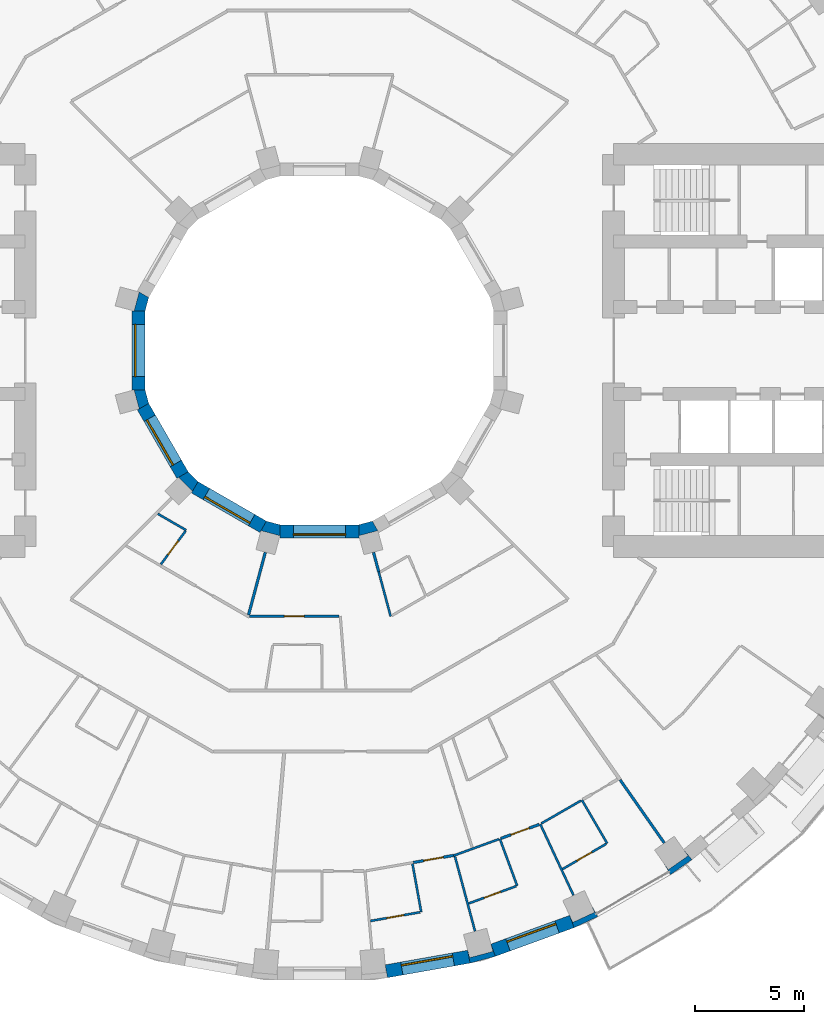
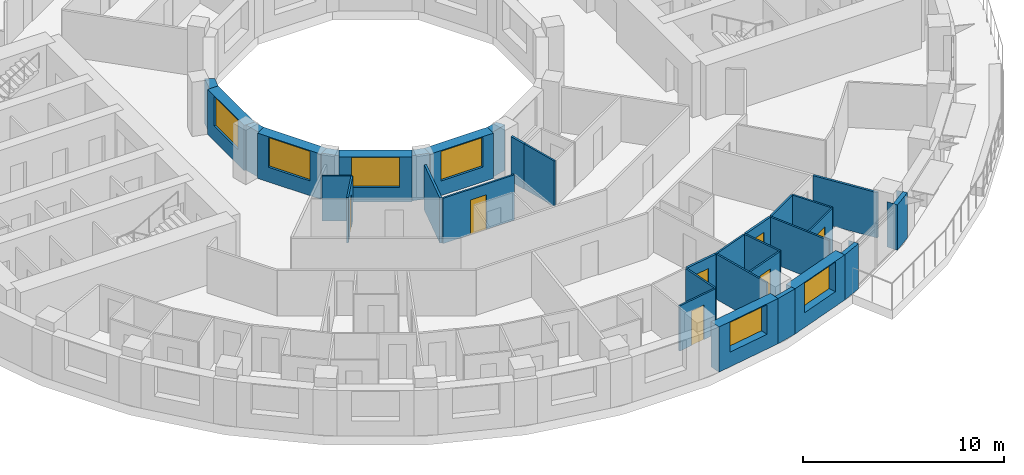
# One storey, part 7 of 15: 33 walls, 7 doors, 6 windows, 13 openings.
"""IFC4 building model written with IfcOpenShell, lengths in metres."""

from ifc_helpers import new_model, si_unit, direction, frame, frame_2d, origin, place, context, subcontext, project, spatial, polyline, rectangle, outline, extrude, material, layer, layer_set, type_object, element, fill, save


model = new_model("IFC4")

# Units and contexts
model_context = context("Model", 3, precision=1e-05, world=origin(), true_north=direction((0.0, 1.0)))
body_context = subcontext(model_context, "Body", "Model", "MODEL_VIEW")
ifc_project = project(units=[si_unit("LENGTHUNIT", "METRE"), si_unit("AREAUNIT", "SQUARE_METRE"), si_unit("VOLUMEUNIT", "CUBIC_METRE"), si_unit("PLANEANGLEUNIT", "RADIAN"), si_unit("MASSUNIT", "GRAM", prefix="KILO")], contexts=[model_context])

# Site, building, storey
site_placement = place(None, origin())
site = spatial("IfcSite", under=ifc_project, at=site_placement, CompositionType="ELEMENT")
building_placement = place(site_placement, origin())
building = spatial("IfcBuilding", under=site, at=building_placement, Name="Saqina Gate Tower", CompositionType="ELEMENT")
storey_placement = place(building_placement, frame((0.0, 0.0, 36.199951171875)))
storey = spatial("IfcBuildingStorey", under=building, at=storey_placement, Name="L09", CompositionType="ELEMENT", Elevation=36.199951171875)

# Walls
ifc_material_1 = material(Name="Brick masonry (red)", Category="masonry")
wall_type_1 = type_object("IfcWallType", Name="BRICK PIER COPING RED", PredefinedType="SOLIDWALL", material=ifc_material_1)
wall_1_placement = place(storey_placement, origin())
element("IfcWall", 1, at=wall_1_placement, inside=storey, type_object=wall_type_1, Name="Pier cap L09 column 29", PredefinedType="SOLIDWALL", context=body_context, shape_type="SweptSolid", body=[
    extrude(outline(polyline([(6.910400390625, -28.11669921875), (8.073974609375, -27.80517578125), (7.86865234375, -27.2412109375), (7.95947265625, -27.57958984375), (6.896728515625, -27.864501953125), (6.80615234375, -27.52587890625), (6.910400390625, -28.11669921875)])), origin(), (0.0, 0.0, 1.0), 2.75),
])
wall_2_placement = place(storey_placement, origin())
element("IfcWall", 2, at=wall_2_placement, inside=storey, type_object=wall_type_1, Name="Pier cap L09 column 30", PredefinedType="SOLIDWALL", context=body_context, shape_type="SweptSolid", body=[
    extrude(outline(polyline([(12.779541015625, -25.980712890625), (12.4794921875, -25.4609375), (12.627685546875, -25.778564453125), (11.630615234375, -26.243408203125), (11.482666015625, -25.92578125), (11.687744140625, -26.48974609375), (12.779541015625, -25.980712890625)])), origin(), (0.0, 0.0, 1.0), 2.75),
])
wall_3_placement = place(storey_placement, origin())
element("IfcWall", 3, at=wall_3_placement, inside=storey, type_object=wall_type_1, Name="Pier cap L09 column 31", PredefinedType="SOLIDWALL", context=body_context, shape_type="SweptSolid", body=[
    extrude(outline(polyline([(16.110107421875, -24.0576171875), (17.096923828125, -23.36669921875), (16.711181640625, -22.9072265625), (16.912109375, -23.194091796875), (16.010986328125, -23.8251953125), (15.81005859375, -23.5380859375), (16.110107421875, -24.0576171875)])), origin(), (0.0, 0.0, 1.0), 2.75),
])

# Wall, opening, window
ifc_material_2 = material(Name="Brick masonry (red)", Category="masonry")
ifc_layer_1 = layer(ifc_material_2, 0.60009765625)
ifc_layer_set_1 = layer_set([ifc_layer_1], Name="FW-BRICK-RED")
wall_type_2 = type_object("IfcWallType", Name="FW-BRICK-RED", PredefinedType="SOLIDWALL", material=ifc_layer_set_1)
wall_4_placement = place(storey_placement, frame((3.07080078125, -28.4892578125, 0.0), z_axis=(0.0, 0.0, 1.0), x_axis=(0.984800809218, 0.173687553279, 0.0)))
wall_4 = element("IfcWall", 4, at=wall_4_placement, inside=storey, type_object=wall_type_2, Name="Facade wall L09 facet 28", PredefinedType="SOLIDWALL", context=body_context, shape_type="SweptSolid", body=[
    extrude(rectangle(XDim=3.845703125, YDim=0.60009765625, at=frame_2d((1.9228515625, 0.0))), origin(), (0.0, 0.0, 1.0), 2.75),
])
opening_1_placement = place(wall_4_placement, frame((0.722900390625, 0.0, 0.89990234375)))
opening_1 = element("IfcOpeningElement", 5, at=opening_1_placement, cuts=wall_4, Name="Opening G02-W21", PredefinedType="OPENING", context=body_context, shape_type="SweptSolid", body=[
    extrude(rectangle(XDim=2.39990234375, YDim=1.800048828125, at=frame_2d((1.199951171875, 0.89990234375))), frame((0.0, 0.31201171875, 0.0), z_axis=(0.0, -1.0, 0.0), x_axis=(1.0, 0.0, 0.0)), (0.0, 0.0, 1.0), 0.6240234375),
])
ifc_material_3 = material(Name="Aluminium glazing", Category="aluminium")
window_type_1 = type_object("IfcWindowType", Name="WN-A", PartitioningType="SINGLE_PANEL", PredefinedType="WINDOW", material=ifc_material_3)
window_1_placement = place(opening_1_placement, origin())
window_1 = element("IfcWindow", 6, at=window_1_placement, inside=storey, type_object=window_type_1, Name="Window L09 facet 28", OverallHeight=1.800048828125, OverallWidth=2.39990234375, PartitioningType="SINGLE_PANEL", PredefinedType="WINDOW", context=body_context, shape_type="SweptSolid", body=[
    extrude(rectangle(XDim=2.39990234375, YDim=1.800048828125, at=frame_2d((1.199951171875, 0.89990234375))), frame((0.0, 0.179931640625, 0.0), z_axis=(0.0, -1.0, 0.0), x_axis=(1.0, 0.0, 0.0)), (0.0, 0.0, 1.0), 0.06005859375),
])
fill(opening_1, window_1)

wall_5_placement = place(storey_placement, frame((7.97119140625, -27.523193359375, 0.0), z_axis=(0.0, 0.0, 1.0), x_axis=(0.939689588564, 0.342028474173, 0.0)))
wall_5 = element("IfcWall", 7, at=wall_5_placement, inside=storey, type_object=wall_type_2, Name="Facade wall L09 facet 29", PredefinedType="SOLIDWALL", context=body_context, shape_type="SweptSolid", body=[
    extrude(rectangle(XDim=3.845947265625, YDim=0.60009765625, at=frame_2d((1.9228515625, 0.0))), origin(), (0.0, 0.0, 1.0), 2.75),
])
opening_2_placement = place(wall_5_placement, frame((0.722900390625, 0.0, 0.89990234375)))
opening_2 = element("IfcOpeningElement", 8, at=opening_2_placement, cuts=wall_5, Name="Opening G02-W22", PredefinedType="OPENING", context=body_context, shape_type="SweptSolid", body=[
    extrude(rectangle(XDim=2.39990234375, YDim=1.800048828125, at=frame_2d((1.199951171875, 0.89990234375))), frame((0.0, 0.31201171875, 0.0), z_axis=(0.0, -1.0, 0.0), x_axis=(1.0, 0.0, 0.0)), (0.0, 0.0, 1.0), 0.6240234375),
])
window_2_placement = place(opening_2_placement, origin())
window_2 = element("IfcWindow", 9, at=window_2_placement, inside=storey, type_object=window_type_1, Name="Window L09 facet 29", OverallHeight=1.800048828125, OverallWidth=2.39990234375, PartitioningType="SINGLE_PANEL", PredefinedType="WINDOW", context=body_context, shape_type="SweptSolid", body=[
    extrude(rectangle(XDim=2.39990234375, YDim=1.800048828125, at=frame_2d((1.199951171875, 0.89990234375))), frame((0.0, 0.179931640625, 0.0), z_axis=(0.0, -1.0, 0.0), x_axis=(1.0, 0.0, 0.0)), (0.0, 0.0, 1.0), 0.06005859375),
])
fill(opening_2, window_2)

ifc_material_4 = material(Name="Glazed ceramic tile", Category="ceramic")
ifc_layer_2 = layer(ifc_material_4, 0.60009765625)
ifc_layer_set_2 = layer_set([ifc_layer_2], Name="IW-TILE")
wall_type_3 = type_object("IfcWallType", Name="IW-TILE", PredefinedType="SOLIDWALL", material=ifc_layer_set_2)
wall_6_placement = place(storey_placement, frame((-8.300048828125, 1.8125, 0.0), z_axis=(0.0, 0.0, 1.0), x_axis=(0.0, -1.0, 0.0)))
wall_6 = element("IfcWall", 10, at=wall_6_placement, inside=storey, type_object=wall_type_3, Name="Well wall L09 facet 6", PredefinedType="SOLIDWALL", context=body_context, shape_type="SweptSolid", body=[
    extrude(rectangle(XDim=3.625, YDim=0.60009765625, at=frame_2d((1.8125, 0.0))), origin(), (0.0, 0.0, 1.0), 2.75),
])
opening_3_placement = place(wall_6_placement, frame((0.612548828125, 0.0, 0.89990234375)))
opening_3 = element("IfcOpeningElement", 11, at=opening_3_placement, cuts=wall_6, Name="Opening G02-W28", PredefinedType="OPENING", context=body_context, shape_type="SweptSolid", body=[
    extrude(rectangle(XDim=2.39990234375, YDim=1.800048828125, at=frame_2d((1.199951171875, 0.89990234375))), frame((0.0, 0.31201171875, 0.0), z_axis=(0.0, -1.0, 0.0), x_axis=(1.0, 0.0, 0.0)), (0.0, 0.0, 1.0), 0.6240234375),
])
ifc_material_5 = material(Name="Aluminium glazing", Category="aluminium")
window_type_2 = type_object("IfcWindowType", Name="WN-W", PartitioningType="SINGLE_PANEL", PredefinedType="WINDOW", material=ifc_material_5)
window_3_placement = place(opening_3_placement, origin())
window_3 = element("IfcWindow", 12, at=window_3_placement, inside=storey, type_object=window_type_2, Name="Well window L09 facet 6", OverallHeight=1.800048828125, OverallWidth=2.39990234375, PartitioningType="SINGLE_PANEL", PredefinedType="WINDOW", context=body_context, shape_type="SweptSolid", body=[
    extrude(rectangle(XDim=2.39990234375, YDim=1.800048828125, at=frame_2d((1.199951171875, 0.89990234375))), frame((0.0, -0.119873046875, 0.0), z_axis=(0.0, -1.0, 0.0), x_axis=(1.0, 0.0, 0.0)), (0.0, 0.0, 1.0), 0.06005859375),
])
fill(opening_3, window_3)

wall_7_placement = place(storey_placement, frame((-8.09423828125, -2.580322265625, 0.0), z_axis=(0.0, 0.0, 1.0), x_axis=(0.499992569217, -0.866029693906, 0.0)))
wall_7 = element("IfcWall", 13, at=wall_7_placement, inside=storey, type_object=wall_type_3, Name="Well wall L09 facet 7", PredefinedType="SOLIDWALL", context=body_context, shape_type="SweptSolid", body=[
    extrude(rectangle(XDim=3.625, YDim=0.60009765625, at=frame_2d((1.8125, 0.0))), origin(), (0.0, 0.0, 1.0), 2.75),
])
opening_4_placement = place(wall_7_placement, frame((0.612548828125, 0.0, 0.89990234375)))
opening_4 = element("IfcOpeningElement", 14, at=opening_4_placement, cuts=wall_7, Name="Opening G02-W29", PredefinedType="OPENING", context=body_context, shape_type="SweptSolid", body=[
    extrude(rectangle(XDim=2.39990234375, YDim=1.800048828125, at=frame_2d((1.199951171875, 0.89990234375))), frame((0.0, 0.31201171875, 0.0), z_axis=(0.0, -1.0, 0.0), x_axis=(1.0, 0.0, 0.0)), (0.0, 0.0, 1.0), 0.6240234375),
])
window_4_placement = place(opening_4_placement, origin())
window_4 = element("IfcWindow", 15, at=window_4_placement, inside=storey, type_object=window_type_2, Name="Well window L09 facet 7", OverallHeight=1.800048828125, OverallWidth=2.39990234375, PartitioningType="SINGLE_PANEL", PredefinedType="WINDOW", context=body_context, shape_type="SweptSolid", body=[
    extrude(rectangle(XDim=2.39990234375, YDim=1.800048828125, at=frame_2d((1.199951171875, 0.89990234375))), frame((0.0, -0.119873046875, 0.0), z_axis=(0.0, -1.0, 0.0), x_axis=(1.0, 0.0, 0.0)), (0.0, 0.0, 1.0), 0.06005859375),
])
fill(opening_4, window_4)

wall_8_placement = place(storey_placement, frame((-5.7197265625, -6.28173828125, 0.0), z_axis=(0.0, 0.0, 1.0), x_axis=(0.866029693906, -0.499992569217, 0.0)))
wall_8 = element("IfcWall", 16, at=wall_8_placement, inside=storey, type_object=wall_type_3, Name="Well wall L09 facet 8", PredefinedType="SOLIDWALL", context=body_context, shape_type="SweptSolid", body=[
    extrude(rectangle(XDim=3.625, YDim=0.60009765625, at=frame_2d((1.8125, 0.0))), origin(), (0.0, 0.0, 1.0), 2.75),
])
opening_5_placement = place(wall_8_placement, frame((0.612548828125, 0.0, 0.89990234375)))
opening_5 = element("IfcOpeningElement", 17, at=opening_5_placement, cuts=wall_8, Name="Opening G02-W30", PredefinedType="OPENING", context=body_context, shape_type="SweptSolid", body=[
    extrude(rectangle(XDim=2.39990234375, YDim=1.800048828125, at=frame_2d((1.199951171875, 0.89990234375))), frame((0.0, 0.31201171875, 0.0), z_axis=(0.0, -1.0, 0.0), x_axis=(1.0, 0.0, 0.0)), (0.0, 0.0, 1.0), 0.6240234375),
])
window_5_placement = place(opening_5_placement, origin())
window_5 = element("IfcWindow", 18, at=window_5_placement, inside=storey, type_object=window_type_2, Name="Well window L09 facet 8", OverallHeight=1.800048828125, OverallWidth=2.39990234375, PartitioningType="SINGLE_PANEL", PredefinedType="WINDOW", context=body_context, shape_type="SweptSolid", body=[
    extrude(rectangle(XDim=2.39990234375, YDim=1.800048828125, at=frame_2d((1.199951171875, 0.89990234375))), frame((0.0, -0.119873046875, 0.0), z_axis=(0.0, -1.0, 0.0), x_axis=(1.0, 0.0, 0.0)), (0.0, 0.0, 1.0), 0.06005859375),
])
fill(opening_5, window_5)

wall_9_placement = place(storey_placement, frame((-1.8125, -8.300048828125, 0.0), z_axis=(0.0, 0.0, 1.0), x_axis=(1.0, 0.0, 0.0)))
wall_9 = element("IfcWall", 19, at=wall_9_placement, inside=storey, type_object=wall_type_3, Name="Well wall L09 facet 9", PredefinedType="SOLIDWALL", context=body_context, shape_type="SweptSolid", body=[
    extrude(rectangle(XDim=3.625, YDim=0.60009765625, at=frame_2d((1.8125, 0.0))), origin(), (0.0, 0.0, 1.0), 2.75),
])
opening_6_placement = place(wall_9_placement, frame((0.612548828125, 0.0, 0.89990234375)))
opening_6 = element("IfcOpeningElement", 20, at=opening_6_placement, cuts=wall_9, Name="Opening G02-W31", PredefinedType="OPENING", context=body_context, shape_type="SweptSolid", body=[
    extrude(rectangle(XDim=2.39990234375, YDim=1.800048828125, at=frame_2d((1.199951171875, 0.89990234375))), frame((0.0, 0.31201171875, 0.0), z_axis=(0.0, -1.0, 0.0), x_axis=(1.0, 0.0, 0.0)), (0.0, 0.0, 1.0), 0.6240234375),
])
window_6_placement = place(opening_6_placement, origin())
window_6 = element("IfcWindow", 21, at=window_6_placement, inside=storey, type_object=window_type_2, Name="Well window L09 facet 9", OverallHeight=1.800048828125, OverallWidth=2.39990234375, PartitioningType="SINGLE_PANEL", PredefinedType="WINDOW", context=body_context, shape_type="SweptSolid", body=[
    extrude(rectangle(XDim=2.39990234375, YDim=1.800048828125, at=frame_2d((1.199951171875, 0.89990234375))), frame((0.0, -0.119873046875, 0.0), z_axis=(0.0, -1.0, 0.0), x_axis=(1.0, 0.0, 0.0)), (0.0, 0.0, 1.0), 0.06005859375),
])
fill(opening_6, window_6)

# Walls
ifc_material_6 = material(Name="Gypsum board on steel studs, 100 mm", Category="steel")
ifc_layer_3 = layer(ifc_material_6, 0.10009765625)
ifc_layer_set_3 = layer_set([ifc_layer_3], Name="PARTITION 100")
wall_type_4 = type_object("IfcWallType", Name="PARTITION 100", PredefinedType="PARTITIONING", material=ifc_layer_set_3)
wall_10_placement = place(storey_placement, frame((4.27099609375, -23.55615234375, 0.0), z_axis=(0.0, 0.0, 1.0), x_axis=(0.178283818946, -0.983979105419, 0.0)))
element("IfcWall", 22, at=wall_10_placement, inside=storey, type_object=wall_type_4, Name="PARTITION PW3-09", PredefinedType="PARTITIONING", context=body_context, shape_type="SweptSolid", body=[
    extrude(rectangle(XDim=2.25, YDim=0.10009765625, at=frame_2d((1.125, 0.0))), origin(), (0.0, 0.0, 1.0), 2.75),
])
wall_11_placement = place(storey_placement, frame((2.718994140625, -10.152099609375, 0.0), z_axis=(0.0, 0.0, 1.0), x_axis=(0.259403619233, -0.965769000501, 0.0)))
element("IfcWall", 23, at=wall_11_placement, inside=storey, type_object=wall_type_4, Name="PARTITION PW3-13", PredefinedType="PARTITIONING", context=body_context, shape_type="SweptSolid", body=[
    extrude(rectangle(XDim=2.120361328125, YDim=0.10009765625, at=frame_2d((1.06005859375, 0.0))), origin(), (0.0, 0.0, 1.0), 2.75),
])
wall_12_placement = place(storey_placement, frame((6.22119140625, -23.224853515625, 0.0), z_axis=(0.0, 0.0, 1.0), x_axis=(0.259393262225, -0.965771782313, 0.0)))
element("IfcWall", 24, at=wall_12_placement, inside=storey, type_object=wall_type_4, Name="PARTITION PW3-14", PredefinedType="PARTITIONING", context=body_context, shape_type="SweptSolid", body=[
    extrude(rectangle(XDim=3.54638671875, YDim=0.10009765625, at=frame_2d((1.773193359375, 0.0))), origin(), (0.0, 0.0, 1.0), 2.75),
])
wall_13_placement = place(storey_placement, frame((8.279052734375, -22.409912109375, 0.0), z_axis=(0.0, 0.0, 1.0), x_axis=(0.346546571046, -0.938032768136, 0.0)))
element("IfcWall", 25, at=wall_13_placement, inside=storey, type_object=wall_type_4, Name="PARTITION PW3-19", PredefinedType="PARTITIONING", context=body_context, shape_type="SweptSolid", body=[
    extrude(rectangle(XDim=2.299560546875, YDim=0.10009765625, at=frame_2d((1.14990234375, 0.0))), origin(), (0.0, 0.0, 1.0), 2.75),
])
wall_14_placement = place(storey_placement, frame((10.135009765625, -21.73388671875, 0.0), z_axis=(0.0, 0.0, 1.0), x_axis=(0.422504004964, -0.906361057079, 0.0)))
element("IfcWall", 26, at=wall_14_placement, inside=storey, type_object=wall_type_4, Name="PARTITION PW3-22", PredefinedType="PARTITIONING", context=body_context, shape_type="SweptSolid", body=[
    extrude(rectangle(XDim=3.609130859375, YDim=0.10009765625, at=frame_2d((1.8046875, 0.0))), origin(), (0.0, 0.0, 1.0), 2.75),
])
wall_15_placement = place(storey_placement, frame((12.044921875, -20.631103515625, 0.0), z_axis=(0.0, 0.0, 1.0), x_axis=(0.503937015779, -0.863740403204, 0.0)))
element("IfcWall", 27, at=wall_15_placement, inside=storey, type_object=wall_type_4, Name="PARTITION PW3-28", PredefinedType="PARTITIONING", context=body_context, shape_type="SweptSolid", body=[
    extrude(rectangle(XDim=2.30029296875, YDim=0.10009765625, at=frame_2d((1.150146484375, 0.0))), origin(), (0.0, 0.0, 1.0), 2.75),
])
wall_16_placement = place(storey_placement, frame((-7.412841796875, -7.498291015625, 0.0), z_axis=(0.0, 0.0, 1.0), x_axis=(0.866060889342, -0.499938532174, 0.0)))
element("IfcWall", 28, at=wall_16_placement, inside=storey, type_object=wall_type_4, Name="PARTITION PW3-44", PredefinedType="PARTITIONING", context=body_context, shape_type="SweptSolid", body=[
    extrude(rectangle(XDim=1.499755859375, YDim=0.10009765625, at=frame_2d((0.75, 0.0))), origin(), (0.0, 0.0, 1.0), 2.75),
])

# Wall, opening, door
wall_17_placement = place(storey_placement, frame((-3.20556640625, -12.199951171875, 0.0), z_axis=(0.0, 0.0, 1.0), x_axis=(1.0, 0.0, 0.0)))
wall_17 = element("IfcWall", 29, at=wall_17_placement, inside=storey, type_object=wall_type_4, Name="PARTITION PW3-60", PredefinedType="PARTITIONING", context=body_context, shape_type="SweptSolid", body=[
    extrude(rectangle(XDim=4.113525390625, YDim=0.10009765625, at=frame_2d((2.056640625, 0.0))), origin(), (0.0, 0.0, 1.0), 2.75),
])
opening_7_placement = place(wall_17_placement, frame((1.6005859375, 0.0, 0.0)))
opening_7 = element("IfcOpeningElement", 30, at=opening_7_placement, cuts=wall_17, Name="Opening G02-D50", PredefinedType="OPENING", context=body_context, shape_type="SweptSolid", body=[
    extrude(rectangle(XDim=0.89990234375, YDim=2.10009765625, at=frame_2d((0.449951171875, 1.050048828125))), frame((0.0, 0.06201171875, 0.0), z_axis=(0.0, -1.0, 0.0), x_axis=(1.0, 0.0, 0.0)), (0.0, 0.0, 1.0), 0.1240234375),
])
ifc_material_7 = material(Name="Timber door leaf, 900 mm", Category="wood")
door_type_1 = type_object("IfcDoorType", Name="DOOR 900 TIMBER", OperationType="SINGLE_SWING_LEFT", PredefinedType="DOOR", material=ifc_material_7)
door_1_placement = place(opening_7_placement, origin())
door_1 = element("IfcDoor", 31, at=door_1_placement, inside=storey, type_object=door_type_1, Name="DOOR G02-D50", OperationType="SINGLE_SWING_LEFT", OverallHeight=2.10009765625, OverallWidth=0.89990234375, PredefinedType="DOOR", context=body_context, shape_type="SweptSolid", body=[
    extrude(rectangle(XDim=0.89990234375, YDim=2.10009765625, at=frame_2d((0.449951171875, 1.050048828125))), frame((0.0, 0.02490234375, 0.0), z_axis=(0.0, -1.0, 0.0), x_axis=(1.0, 0.0, 0.0)), (0.0, 0.0, 1.0), 0.050048828125),
])
fill(opening_7, door_1)

wall_18_placement = place(storey_placement, frame((2.340576171875, -26.18115234375, 0.0), z_axis=(0.0, 0.0, 1.0), x_axis=(0.984795222678, 0.173719225738, 0.0)))
wall_18 = element("IfcWall", 32, at=wall_18_placement, inside=storey, type_object=wall_type_4, Name="PARTITION PW3-65", PredefinedType="PARTITIONING", context=body_context, shape_type="SweptSolid", body=[
    extrude(rectangle(XDim=2.3173828125, YDim=0.10009765625, at=frame_2d((1.15869140625, 0.0))), origin(), (0.0, 0.0, 1.0), 2.75),
])
opening_8_placement = place(wall_18_placement, frame((0.758544921875, 0.0, 0.0)))
opening_8 = element("IfcOpeningElement", 33, at=opening_8_placement, cuts=wall_18, Name="Opening G02-D55", PredefinedType="OPENING", context=body_context, shape_type="SweptSolid", body=[
    extrude(rectangle(XDim=0.800048828125, YDim=2.10009765625, at=frame_2d((0.39990234375, 1.050048828125))), frame((0.0, 0.06201171875, 0.0), z_axis=(0.0, -1.0, 0.0), x_axis=(1.0, 0.0, 0.0)), (0.0, 0.0, 1.0), 0.1240234375),
])
ifc_material_8 = material(Name="Timber door leaf, 800 mm", Category="wood")
door_type_2 = type_object("IfcDoorType", Name="DOOR 800 TIMBER", OperationType="SINGLE_SWING_LEFT", PredefinedType="DOOR", material=ifc_material_8)
door_2_placement = place(opening_8_placement, frame((0.800048828125, 0.0, 0.0), z_axis=(0.0, 0.0, 1.0), x_axis=(-1.0, 0.0, 0.0)))
door_2 = element("IfcDoor", 34, at=door_2_placement, inside=storey, type_object=door_type_2, Name="DOOR G02-D55", OperationType="SINGLE_SWING_RIGHT", OverallHeight=2.10009765625, OverallWidth=0.800048828125, PredefinedType="DOOR", context=body_context, shape_type="SweptSolid", body=[
    extrude(rectangle(XDim=0.800048828125, YDim=2.10009765625, at=frame_2d((0.39990234375, 1.050048828125))), frame((0.0, 0.02490234375, 0.0), z_axis=(0.0, -1.0, 0.0), x_axis=(1.0, 0.0, 0.0)), (0.0, 0.0, 1.0), 0.050048828125),
])
fill(opening_8, door_2)

wall_19_placement = place(storey_placement, frame((6.851318359375, -25.376708984375, 0.0), z_axis=(0.0, 0.0, 1.0), x_axis=(0.939679567759, 0.342056004093, 0.0)))
wall_19 = element("IfcWall", 35, at=wall_19_placement, inside=storey, type_object=wall_type_4, Name="PARTITION PW3-69", PredefinedType="PARTITIONING", context=body_context, shape_type="SweptSolid", body=[
    extrude(rectangle(XDim=2.317626953125, YDim=0.10009765625, at=frame_2d((1.15869140625, 0.0))), origin(), (0.0, 0.0, 1.0), 2.75),
])
opening_9_placement = place(wall_19_placement, frame((0.75830078125, 0.0, 0.0)))
opening_9 = element("IfcOpeningElement", 36, at=opening_9_placement, cuts=wall_19, Name="Opening G02-D58", PredefinedType="OPENING", context=body_context, shape_type="SweptSolid", body=[
    extrude(rectangle(XDim=0.800048828125, YDim=2.10009765625, at=frame_2d((0.39990234375, 1.050048828125))), frame((0.0, 0.06201171875, 0.0), z_axis=(0.0, -1.0, 0.0), x_axis=(1.0, 0.0, 0.0)), (0.0, 0.0, 1.0), 0.1240234375),
])
door_3_placement = place(opening_9_placement, frame((0.800048828125, 0.0, 0.0), z_axis=(0.0, 0.0, 1.0), x_axis=(-1.0, 0.0, 0.0)))
door_3 = element("IfcDoor", 37, at=door_3_placement, inside=storey, type_object=door_type_2, Name="DOOR G02-D58", OperationType="SINGLE_SWING_RIGHT", OverallHeight=2.10009765625, OverallWidth=0.800048828125, PredefinedType="DOOR", context=body_context, shape_type="SweptSolid", body=[
    extrude(rectangle(XDim=0.800048828125, YDim=2.10009765625, at=frame_2d((0.39990234375, 1.050048828125))), frame((0.0, 0.02490234375, 0.0), z_axis=(0.0, -1.0, 0.0), x_axis=(1.0, 0.0, 0.0)), (0.0, 0.0, 1.0), 0.050048828125),
])
fill(opening_9, door_3)

# Walls
wall_20_placement = place(storey_placement, frame((6.1591796875, -23.181396484375, 0.0), z_axis=(0.0, 0.0, 1.0), x_axis=(0.939696437289, 0.342009657388, 0.0)))
element("IfcWall", 38, at=wall_20_placement, inside=storey, type_object=wall_type_4, Name="PARTITION PW3-70", PredefinedType="PARTITIONING", context=body_context, shape_type="SweptSolid", body=[
    extrude(rectangle(XDim=2.205810546875, YDim=0.10009765625, at=frame_2d((1.10302734375, 0.0))), origin(), (0.0, 0.0, 1.0), 2.75),
])
wall_21_placement = place(storey_placement, frame((10.189208984375, -21.702880859375, 0.0), z_axis=(0.0, 0.0, 1.0), x_axis=(0.866587299052, 0.499025503479, 0.0)))
element("IfcWall", 39, at=wall_21_placement, inside=storey, type_object=wall_type_4, Name="PARTITION PW3-75", PredefinedType="PARTITIONING", context=body_context, shape_type="SweptSolid", body=[
    extrude(rectangle(XDim=2.093017578125, YDim=0.10009765625, at=frame_2d((1.04638671875, 0.0))), origin(), (0.0, 0.0, 1.0), 2.75),
])

# Wall, opening, door
wall_22_placement = place(storey_placement, frame((11.154296875, -23.802001953125, 0.0), z_axis=(0.0, 0.0, 1.0), x_axis=(0.865918825327, 0.500184553885, 0.0)))
wall_22 = element("IfcWall", 40, at=wall_22_placement, inside=storey, type_object=wall_type_4, Name="PARTITION PW3-76", PredefinedType="PARTITIONING", context=body_context, shape_type="SweptSolid", body=[
    extrude(rectangle(XDim=2.31689453125, YDim=0.10009765625, at=frame_2d((1.158447265625, 0.0))), origin(), (0.0, 0.0, 1.0), 2.75),
])
opening_10_placement = place(wall_22_placement, frame((0.758544921875, 0.0, 0.0)))
opening_10 = element("IfcOpeningElement", 41, at=opening_10_placement, cuts=wall_22, Name="Opening G02-D62", PredefinedType="OPENING", context=body_context, shape_type="SweptSolid", body=[
    extrude(rectangle(XDim=0.800048828125, YDim=2.10009765625, at=frame_2d((0.39990234375, 1.050048828125))), frame((0.0, 0.06201171875, 0.0), z_axis=(0.0, -1.0, 0.0), x_axis=(1.0, 0.0, 0.0)), (0.0, 0.0, 1.0), 0.1240234375),
])
door_4_placement = place(opening_10_placement, frame((0.800048828125, 0.0, 0.0), z_axis=(0.0, 0.0, 1.0), x_axis=(-1.0, 0.0, 0.0)))
door_4 = element("IfcDoor", 42, at=door_4_placement, inside=storey, type_object=door_type_2, Name="DOOR G02-D62", OperationType="SINGLE_SWING_RIGHT", OverallHeight=2.10009765625, OverallWidth=0.800048828125, PredefinedType="DOOR", context=body_context, shape_type="SweptSolid", body=[
    extrude(rectangle(XDim=0.800048828125, YDim=2.10009765625, at=frame_2d((0.39990234375, 1.050048828125))), frame((0.0, 0.02490234375, 0.0), z_axis=(0.0, -1.0, 0.0), x_axis=(1.0, 0.0, 0.0)), (0.0, 0.0, 1.0), 0.050048828125),
])
fill(opening_10, door_4)

wall_23_placement = place(storey_placement, frame((-7.27490234375, -9.814697265625, 0.0), z_axis=(0.0, 0.0, 1.0), x_axis=(0.595322808891, 0.803486622922, 0.0)))
wall_23 = element("IfcWall", 43, at=wall_23_placement, inside=storey, type_object=wall_type_4, Name="PARTITION PW3-96", PredefinedType="PARTITIONING", context=body_context, shape_type="SweptSolid", body=[
    extrude(rectangle(XDim=1.89990234375, YDim=0.10009765625, at=frame_2d((0.949951171875, 0.0))), origin(), (0.0, 0.0, 1.0), 2.75),
])
opening_11_placement = place(wall_23_placement, frame((0.543701171875, 0.0, 0.0)))
opening_11 = element("IfcOpeningElement", 44, at=opening_11_placement, cuts=wall_23, Name="Opening G02-D38", PredefinedType="OPENING", context=body_context, shape_type="SweptSolid", body=[
    extrude(rectangle(XDim=0.800048828125, YDim=2.10009765625, at=frame_2d((0.39990234375, 1.050048828125))), frame((0.0, 0.06201171875, 0.0), z_axis=(0.0, -1.0, 0.0), x_axis=(1.0, 0.0, 0.0)), (0.0, 0.0, 1.0), 0.1240234375),
])
door_5_placement = place(opening_11_placement, frame((0.800048828125, 0.0, 0.0), z_axis=(0.0, 0.0, 1.0), x_axis=(-1.0, 0.0, 0.0)))
door_5 = element("IfcDoor", 45, at=door_5_placement, inside=storey, type_object=door_type_2, Name="DOOR G02-D38", OperationType="SINGLE_SWING_RIGHT", OverallHeight=2.10009765625, OverallWidth=0.800048828125, PredefinedType="DOOR", context=body_context, shape_type="SweptSolid", body=[
    extrude(rectangle(XDim=0.800048828125, YDim=2.10009765625, at=frame_2d((0.39990234375, 1.050048828125))), frame((0.0, 0.02490234375, 0.0), z_axis=(0.0, -1.0, 0.0), x_axis=(1.0, 0.0, 0.0)), (0.0, 0.0, 1.0), 0.050048828125),
])
fill(opening_11, door_5)

# Walls
ifc_material_9 = material(Name="Gypsum board on steel studs, 125 mm, fire rated", Category="steel")
ifc_layer_4 = layer(ifc_material_9, 0.125)
ifc_layer_set_4 = layer_set([ifc_layer_4], Name="PARTITION EI 30 125")
wall_type_5 = type_object("IfcWallType", Name="PARTITION EI 30 125", PredefinedType="PARTITIONING", material=ifc_layer_set_4)
wall_24_placement = place(storey_placement, frame((2.482421875, -9.265380859375, 0.0), z_axis=(0.0, 0.0, 1.0), x_axis=(0.25915278109, -0.965836340201, 0.0)))
element("IfcWall", 46, at=wall_24_placement, inside=storey, type_object=wall_type_5, Name="PARTITION PW1-01", PredefinedType="PARTITIONING", context=body_context, shape_type="SweptSolid", body=[
    extrude(rectangle(XDim=0.91748046875, YDim=0.125, at=frame_2d((0.458740234375, 0.0))), origin(), (0.0, 0.0, 1.0), 2.75),
])
wall_25_placement = place(storey_placement, frame((13.798095703125, -19.705322265625, 0.0), z_axis=(0.0, 0.0, 1.0), x_axis=(0.573494797188, -0.819209202584, 0.0)))
element("IfcWall", 47, at=wall_25_placement, inside=storey, type_object=wall_type_5, Name="PARTITION PW1-06", PredefinedType="PARTITIONING", context=body_context, shape_type="SweptSolid", body=[
    extrude(rectangle(XDim=3.5341796875, YDim=0.125, at=frame_2d((1.76708984375, 0.0))), origin(), (0.0, 0.0, 1.0), 2.75),
])

# Wall, opening, door
wall_26_placement = place(storey_placement, frame((4.311279296875, -23.498291015625, 0.0), z_axis=(0.0, 0.0, 1.0), x_axis=(0.984797974945, 0.173703622713, 0.0)))
wall_26 = element("IfcWall", 48, at=wall_26_placement, inside=storey, type_object=wall_type_5, Name="PARTITION PW1-32", PredefinedType="PARTITIONING", context=body_context, shape_type="SweptSolid", body=[
    extrude(rectangle(XDim=1.875, YDim=0.125, at=frame_2d((0.9375, 0.0))), origin(), (0.0, 0.0, 1.0), 2.75),
])
opening_12_placement = place(wall_26_placement, frame((0.487548828125, 0.0, 0.0)))
opening_12 = element("IfcOpeningElement", 49, at=opening_12_placement, cuts=wall_26, Name="Opening G02-D56", PredefinedType="OPENING", context=body_context, shape_type="SweptSolid", body=[
    extrude(rectangle(XDim=0.89990234375, YDim=2.10009765625, at=frame_2d((0.449951171875, 1.050048828125))), frame((0.0, 0.074462890625, 0.0), z_axis=(0.0, -1.0, 0.0), x_axis=(1.0, 0.0, 0.0)), (0.0, 0.0, 1.0), 0.14892578125),
])
ifc_material_10 = material(Name="Fire door leaf EI 30, 900 mm")
door_type_3 = type_object("IfcDoorType", Name="DOOR 900 EI 30", OperationType="SINGLE_SWING_LEFT", PredefinedType="DOOR", material=ifc_material_10)
door_6_placement = place(opening_12_placement, origin())
door_6 = element("IfcDoor", 50, at=door_6_placement, inside=storey, type_object=door_type_3, Name="DOOR G02-D56", OperationType="SINGLE_SWING_RIGHT", OverallHeight=2.10009765625, OverallWidth=0.89990234375, PredefinedType="DOOR", context=body_context, shape_type="SweptSolid", body=[
    extrude(rectangle(XDim=0.89990234375, YDim=2.10009765625, at=frame_2d((0.449951171875, 1.050048828125))), frame((0.0, 0.02490234375, 0.0), z_axis=(0.0, -1.0, 0.0), x_axis=(1.0, 0.0, 0.0)), (0.0, 0.0, 1.0), 0.050048828125),
])
fill(opening_12, door_6)

wall_27_placement = place(storey_placement, frame((8.325927734375, -22.392822265625, 0.0), z_axis=(0.0, 0.0, 1.0), x_axis=(0.939656514106, 0.342119329325, 0.0)))
wall_27 = element("IfcWall", 51, at=wall_27_placement, inside=storey, type_object=wall_type_5, Name="PARTITION PW1-34", PredefinedType="PARTITIONING", context=body_context, shape_type="SweptSolid", body=[
    extrude(rectangle(XDim=1.87548828125, YDim=0.125, at=frame_2d((0.937744140625, 0.0))), origin(), (0.0, 0.0, 1.0), 2.75),
])
opening_13_placement = place(wall_27_placement, frame((0.487548828125, 0.0, 0.0)))
opening_13 = element("IfcOpeningElement", 52, at=opening_13_placement, cuts=wall_27, Name="Opening G02-D59", PredefinedType="OPENING", context=body_context, shape_type="SweptSolid", body=[
    extrude(rectangle(XDim=0.89990234375, YDim=2.10009765625, at=frame_2d((0.449951171875, 1.050048828125))), frame((0.0, 0.074462890625, 0.0), z_axis=(0.0, -1.0, 0.0), x_axis=(1.0, 0.0, 0.0)), (0.0, 0.0, 1.0), 0.14892578125),
])
door_7_placement = place(opening_13_placement, origin())
door_7 = element("IfcDoor", 53, at=door_7_placement, inside=storey, type_object=door_type_3, Name="DOOR G02-D59", OperationType="SINGLE_SWING_RIGHT", OverallHeight=2.10009765625, OverallWidth=0.89990234375, PredefinedType="DOOR", context=body_context, shape_type="SweptSolid", body=[
    extrude(rectangle(XDim=0.89990234375, YDim=2.10009765625, at=frame_2d((0.449951171875, 1.050048828125))), frame((0.0, 0.02490234375, 0.0), z_axis=(0.0, -1.0, 0.0), x_axis=(1.0, 0.0, 0.0)), (0.0, 0.0, 1.0), 0.050048828125),
])
fill(opening_13, door_7)

# Walls
wall_28_placement = place(storey_placement, frame((-3.2529296875, -12.1396484375, 0.0), z_axis=(0.0, 0.0, 1.0), x_axis=(0.258775729179, 0.965937431715, 0.0)))
element("IfcWall", 54, at=wall_28_placement, inside=storey, type_object=wall_type_5, Name="PARTITION PW1-50", PredefinedType="PARTITIONING", context=body_context, shape_type="SweptSolid", body=[
    extrude(rectangle(XDim=2.9755859375, YDim=0.125, at=frame_2d((1.48779296875, 0.0))), origin(), (0.0, 0.0, 1.0), 2.75),
])
ifc_material_11 = material(Name="Glazed ceramic tile", Category="ceramic")
wall_type_6 = type_object("IfcWallType", Name="TILE PIER COPING", PredefinedType="SOLIDWALL", material=ifc_material_11)
wall_29_placement = place(storey_placement, origin())
element("IfcWall", 55, at=wall_29_placement, inside=storey, type_object=wall_type_6, Name="Well pier cap L09 column 6", PredefinedType="SOLIDWALL", context=body_context, shape_type="SweptSolid", body=[
    extrude(outline(polyline([(-8.502685546875, 1.8125), (-8.0, 1.8125), (-7.83447265625, 2.430419921875), (-8.27001953125, 2.681884765625), (-8.502685546875, 1.8125)])), origin(), (0.0, 0.0, 1.0), 2.75),
])
wall_30_placement = place(storey_placement, origin())
element("IfcWall", 56, at=wall_30_placement, inside=storey, type_object=wall_type_6, Name="Well pier cap L09 column 7", PredefinedType="SOLIDWALL", context=body_context, shape_type="SweptSolid", body=[
    extrude(outline(polyline([(-8.27001953125, -2.681884765625), (-7.83447265625, -2.430419921875), (-8.0, -1.8125), (-8.502685546875, -1.8125), (-8.27001953125, -2.681884765625)])), origin(), (0.0, 0.0, 1.0), 2.75),
])
wall_31_placement = place(storey_placement, origin())
element("IfcWall", 57, at=wall_31_placement, inside=storey, type_object=wall_type_6, Name="Well pier cap L09 column 8", PredefinedType="SOLIDWALL", context=body_context, shape_type="SweptSolid", body=[
    extrude(outline(polyline([(-6.45751953125, -5.821044921875), (-5.821044921875, -6.45751953125), (-5.569580078125, -6.02197265625), (-6.02197265625, -5.569580078125), (-6.45751953125, -5.821044921875)])), origin(), (0.0, 0.0, 1.0), 2.75),
])
wall_32_placement = place(storey_placement, origin())
element("IfcWall", 58, at=wall_32_placement, inside=storey, type_object=wall_type_6, Name="Well pier cap L09 column 9", PredefinedType="SOLIDWALL", context=body_context, shape_type="SweptSolid", body=[
    extrude(outline(polyline([(-1.8125, -8.502685546875), (-1.8125, -8.0), (-2.430419921875, -7.83447265625), (-2.681884765625, -8.27001953125), (-1.8125, -8.502685546875)])), origin(), (0.0, 0.0, 1.0), 2.75),
])
wall_33_placement = place(storey_placement, origin())
element("IfcWall", 59, at=wall_33_placement, inside=storey, type_object=wall_type_6, Name="Well pier cap L09 column 10", PredefinedType="SOLIDWALL", context=body_context, shape_type="SweptSolid", body=[
    extrude(outline(polyline([(2.681884765625, -8.27001953125), (2.430419921875, -7.83447265625), (1.8125, -8.0), (1.8125, -8.502685546875), (2.681884765625, -8.27001953125)])), origin(), (0.0, 0.0, 1.0), 2.75),
])

save(model, "model.ifc")
